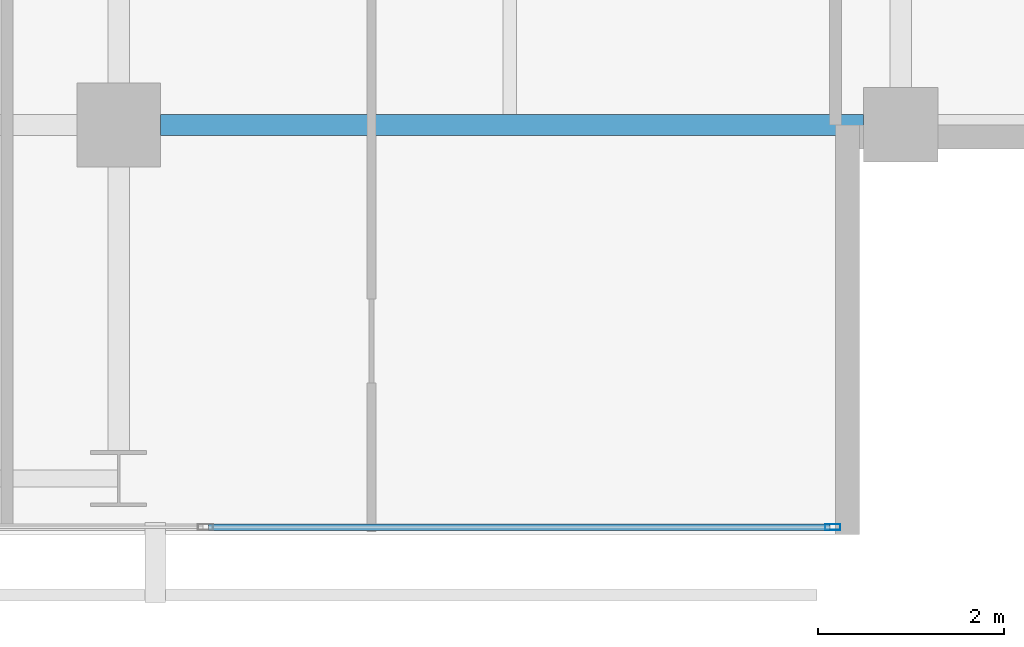
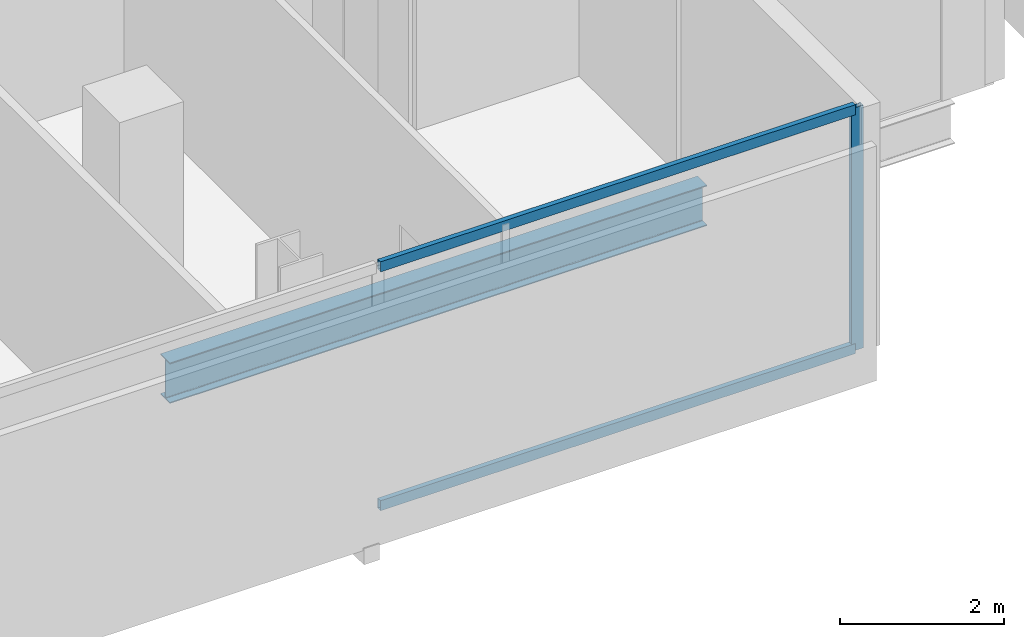
# One storey, part 13 of 34: 3 members, 1 beam, 1 element without a shape of its own.
"""IFC4 building model written with IfcOpenShell, lengths in metres."""

from ifc_helpers import new_model, si_unit, direction, frame, origin, origin_2d, place, context, subcontext, project, spatial, hollow_rectangle, i_section, extrude, material, layer, layer_set, material_profile, profile_set, type_object, element, aggregate, save


model = new_model("IFC4")

# Units and contexts
model_context = context("Model", 3, precision=1e-05, world=origin(), true_north=direction((0.0, 1.0)))
body_context = subcontext(model_context, "Body", "Model", "MODEL_VIEW")
ifc_project = project(units=[si_unit("LENGTHUNIT", "METRE"), si_unit("AREAUNIT", "SQUARE_METRE"), si_unit("VOLUMEUNIT", "CUBIC_METRE"), si_unit("PLANEANGLEUNIT", "RADIAN"), si_unit("MASSUNIT", "GRAM", prefix="KILO")], contexts=[model_context])

# Site, building, storey
site_placement = place(None, origin())
site = spatial("IfcSite", under=ifc_project, at=site_placement, CompositionType="ELEMENT")
building_placement = place(site_placement, origin())
building = spatial("IfcBuilding", under=site, at=building_placement, Name="Maruvema Waterfront Hotel and Observation Tower", CompositionType="ELEMENT")
storey_placement = place(building_placement, frame((0.0, 0.0, 185.14990234375)))
storey = spatial("IfcBuildingStorey", under=building, at=storey_placement, Name="L45", CompositionType="ELEMENT", Elevation=185.14990234375)

# Curtain wall, members
ifc_material_1 = material(Name="Anodised bronze aluminium and solar-control low-E IGU", Category="aluminium")
ifc_layer = layer(ifc_material_1, 0.159912109375, Name="Zone 2 Amber Inner Thermal Curtain Wall System CW-03")
ifc_layer_set = layer_set([ifc_layer], Name="Anodised bronze aluminium and solar-control low-E IGU")
curtain_wall_type = type_object("IfcCurtainWallType", Name="Zone 2 Amber Inner Thermal Curtain Wall System CW-03", PredefinedType="USERDEFINED", material=ifc_layer_set)
curtain_wall_placement = place(storey_placement, origin())
curtain_wall = element("IfcCurtainWall", 1, at=curtain_wall_placement, inside=storey, type_object=curtain_wall_type, Name="L45 Curtain Wall CW-L45-S", ObjectType="UNITISED CURTAIN WALL", PredefinedType="USERDEFINED")
ifc_material_2 = material(Name="Anodised architectural bronze aluminium", Category="aluminium")
ifc_material_profile_1 = material_profile(ifc_material_2, hollow_rectangle(XDim=0.070068359375, YDim=0.14990234375, WallThickness=0.00390625, at=origin_2d()), Name="ALU-T70x150")
ifc_profile_set_1 = profile_set([ifc_material_profile_1], Name="Anodised architectural bronze aluminium")
member_type_1 = type_object("IfcMemberType", Name="Curtain Wall Horizontal Transom ALU-T70x150", PredefinedType="USERDEFINED", material=ifc_profile_set_1)
member_1_placement = place(storey_placement, frame((51.36328125, 4.679931640625, 0.030029296875), z_axis=(1.0, 0.0, 0.0), x_axis=(0.0, 1.0, 0.0)))
member_1 = element("IfcMember", 2, at=member_1_placement, type_object=member_type_1, Name="CW-03 transom 6.1", ObjectType="TRANSOM", PredefinedType="USERDEFINED", context=body_context, shape_type="SweptSolid", body=[
    extrude(hollow_rectangle(XDim=0.070068359375, YDim=0.14990234375, WallThickness=0.00390625, at=origin_2d()), origin(), (0.0, 0.0, 1.0), 6.6767578125),
])
member_2_placement = place(storey_placement, frame((51.36328125, 4.679931640625, 3.580078125), z_axis=(1.0, 0.0, 0.0), x_axis=(0.0, 1.0, 0.0)))
member_2 = element("IfcMember", 3, at=member_2_placement, type_object=member_type_1, Name="CW-03 transom 6.2", ObjectType="TRANSOM", PredefinedType="USERDEFINED", context=body_context, shape_type="SweptSolid", body=[
    extrude(hollow_rectangle(XDim=0.070068359375, YDim=0.14990234375, WallThickness=0.00390625, at=origin_2d()), origin(), (0.0, 0.0, 1.0), 6.6767578125),
])
ifc_material_3 = material(Name="Anodised architectural bronze aluminium", Category="aluminium")
ifc_material_profile_2 = material_profile(ifc_material_3, hollow_rectangle(XDim=0.06494140625, YDim=0.1650390625, WallThickness=0.00390625, at=origin_2d()), Name="ALU-M65x165")
ifc_profile_set_2 = profile_set([ifc_material_profile_2], Name="Anodised architectural bronze aluminium")
member_type_2 = type_object("IfcMemberType", Name="Curtain Wall Primary Mullion ALU-M65x165", PredefinedType="MULLION", material=ifc_profile_set_2)
member_3_placement = place(storey_placement, frame((58.070068359375, 4.679931640625, 0.0), z_axis=(0.0, 0.0, 1.0), x_axis=(0.0, 1.0, 0.0)))
member_3 = element("IfcMember", 4, at=member_3_placement, type_object=member_type_2, Name="CW-03 mullion 7", PredefinedType="MULLION", context=body_context, shape_type="SweptSolid", body=[
    extrude(hollow_rectangle(XDim=0.06494140625, YDim=0.1650390625, WallThickness=0.00390625, at=origin_2d()), origin(), (0.0, 0.0, 1.0), 3.610107421875),
])
aggregate(curtain_wall, [member_3, member_1, member_2])

# Beam
ifc_material_4 = material(Name="Steel ASTM A572 Grade 50", Category="steel")
ifc_material_profile_3 = material_profile(ifc_material_4, i_section(OverallWidth=0.22802734375, OverallDepth=0.60302734375, WebThickness=0.010498046875, FlangeThickness=0.014892578125, FilletRadius=0.01806640625, at=origin_2d()), Name="W610x101.0")
ifc_profile_set_3 = profile_set([ifc_material_profile_3], Name="Steel ASTM A572 Grade 50")
beam_type = type_object("IfcBeamType", Name="Primary Floor Girder W610x101.0", PredefinedType="BEAM", material=ifc_profile_set_3)
beam_placement = place(storey_placement, frame((50.85009765625, 9.0, -0.54150390625), z_axis=(1.0, 0.0, 0.0), x_axis=(0.0, 1.0, 0.0)))
element("IfcBeam", 5, at=beam_placement, inside=storey, type_object=beam_type, Name="L45 Floor Girder EW-09", PredefinedType="BEAM", context=body_context, shape_type="SweptSolid", body=[
    extrude(i_section(OverallWidth=0.22802734375, OverallDepth=0.60302734375, WebThickness=0.010498046875, FlangeThickness=0.014892578125, FilletRadius=0.01806640625, at=origin_2d()), origin(), (0.0, 0.0, 1.0), 7.5498046875),
])

save(model, "model.ifc")
